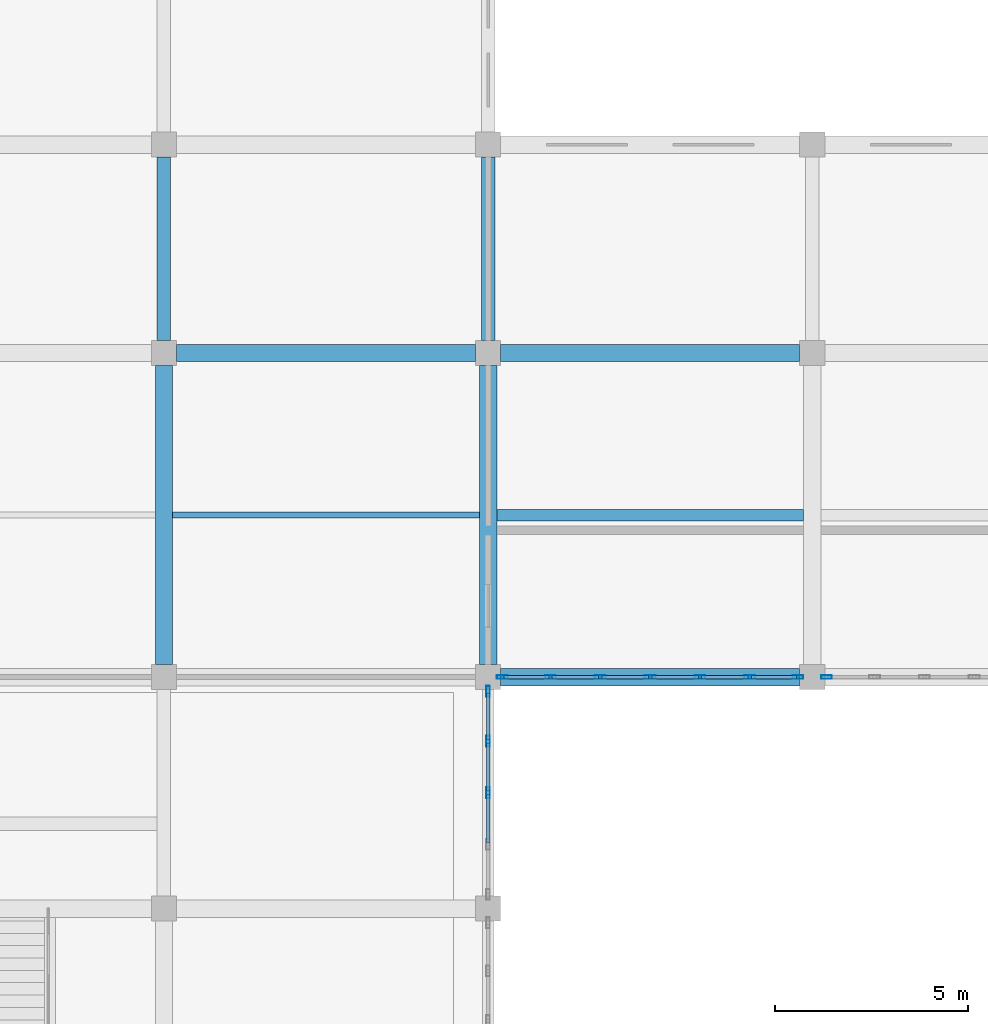
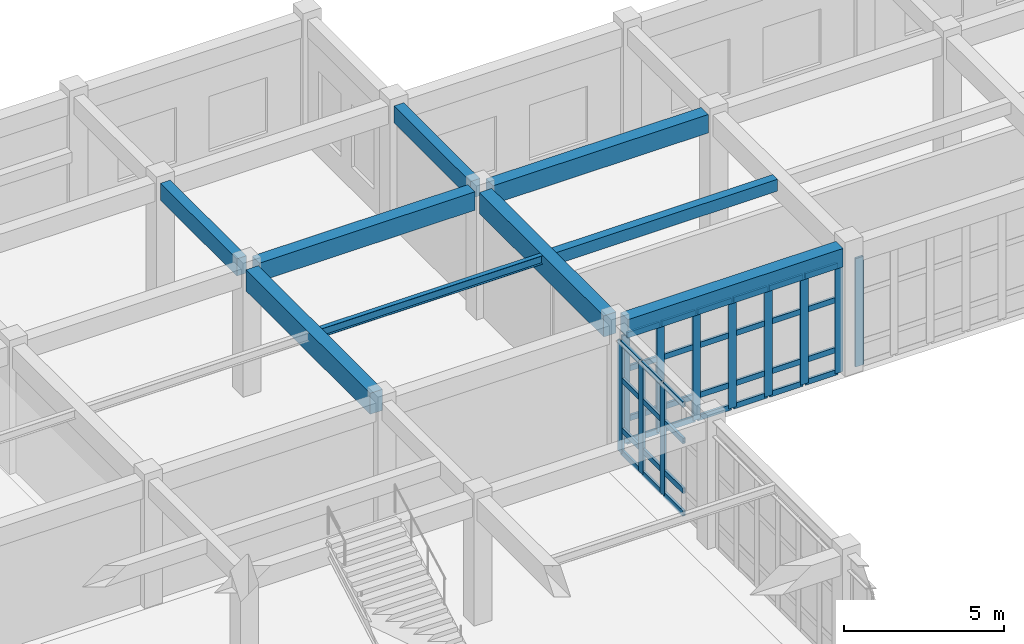
# One storey, part 32 of 80: 47 members, 9 beams, 3 elements without a shape of their own.
"""IFC4 building model written with IfcOpenShell, lengths in metres."""

from ifc_helpers import new_model, si_unit, direction, frame, origin, origin_2d, place, context, subcontext, project, spatial, rectangle, hollow_rectangle, i_section, extrude, material, layer, layer_set, material_profile, profile_set, type_object, element, aggregate, save


model = new_model("IFC4")

# Units and contexts
model_context = context("Model", 3, precision=1e-05, world=origin(), true_north=direction((0.0, 1.0)))
body_context = subcontext(model_context, "Body", "Model", "MODEL_VIEW")
ifc_project = project(units=[si_unit("LENGTHUNIT", "METRE"), si_unit("AREAUNIT", "SQUARE_METRE"), si_unit("VOLUMEUNIT", "CUBIC_METRE"), si_unit("PLANEANGLEUNIT", "RADIAN"), si_unit("MASSUNIT", "GRAM", prefix="KILO")], contexts=[model_context])

# Site, building, storey
site_placement = place(None, origin())
site = spatial("IfcSite", under=ifc_project, at=site_placement, CompositionType="ELEMENT")
building_placement = place(site_placement, origin())
building = spatial("IfcBuilding", under=site, at=building_placement, Name="Krzemoval Escarpment Law Courts", CompositionType="ELEMENT")
storey_placement = place(building_placement, origin())
storey = spatial("IfcBuildingStorey", under=building, at=storey_placement, Name="L00", CompositionType="ELEMENT", Elevation=0.0)

# Beams
ifc_material_1 = material(Name="Concrete C40/50", Category="concrete")
ifc_material_profile_1 = material_profile(ifc_material_1, rectangle(XDim=0.35009765625, YDim=0.64990234375, at=origin_2d()), Name="RCB 350x650")
ifc_profile_set_1 = profile_set([ifc_material_profile_1], Name="Concrete C40/50")
beam_type_1 = type_object("IfcBeamType", Name="BM-RC-350x650", PredefinedType="BEAM", material=ifc_profile_set_1)
for number, where, z_axis, x_axis, name in (
    (1, (33.60009765625, 108.324951171875, 4.4951171875), (0.0, 1.0, 0.0), (-1.0, 0.0, 0.0), "Beam FG-L00-0876"),
    (2, (42.0, 108.324951171875, 4.4951171875), (0.0, 1.0, 0.0), (-1.0, 0.0, 0.0), "Beam FG-L00-0892"),
):
    element("IfcBeam", number, at=place(storey_placement, frame(where, z_axis=z_axis, x_axis=x_axis)), inside=storey, type_object=beam_type_1, Name=name, PredefinedType="BEAM", context=body_context, shape_type="SweptSolid", body=[
        extrude(rectangle(XDim=0.35009765625, YDim=0.64990234375, at=origin_2d()), origin(), (0.0, 0.0, 1.0), 4.75),
    ])
ifc_material_2 = material(Name="Concrete C40/50", Category="concrete")
ifc_material_profile_2 = material_profile(ifc_material_2, rectangle(XDim=0.449951171875, YDim=0.699951171875, at=origin_2d()), Name="RCB 450x700")
ifc_profile_set_2 = profile_set([ifc_material_profile_2], Name="Concrete C40/50")
beam_type_2 = type_object("IfcBeamType", Name="BM-RC-450x700", PredefinedType="BEAM", material=ifc_profile_set_2)
for number, where, z_axis, x_axis, name in (
    (3, (42.324951171875, 99.60009765625, 4.469970703125), (1.0, 0.0, 0.0), (0.0, 1.0, 0.0), "Beam FG-L00-0746"),
    (4, (33.925048828125, 108.0, 4.469970703125), (1.0, 0.0, 0.0), (0.0, 1.0, 0.0), "Beam FG-L00-0764"),
    (5, (42.324951171875, 108.0, 4.469970703125), (1.0, 0.0, 0.0), (0.0, 1.0, 0.0), "Beam FG-L00-0765"),
):
    element("IfcBeam", number, at=place(storey_placement, frame(where, z_axis=z_axis, x_axis=x_axis)), inside=storey, type_object=beam_type_2, Name=name, PredefinedType="BEAM", context=body_context, shape_type="SweptSolid", body=[
        extrude(rectangle(XDim=0.449951171875, YDim=0.699951171875, at=origin_2d()), origin(), (0.0, 0.0, 1.0), 7.75),
    ])
ifc_material_3 = material(Name="Concrete C40/50", Category="concrete")
ifc_material_profile_3 = material_profile(ifc_material_3, rectangle(XDim=0.449951171875, YDim=0.800048828125, at=origin_2d()), Name="RCB 450x800")
ifc_profile_set_3 = profile_set([ifc_material_profile_3], Name="Concrete C40/50")
beam_type_3 = type_object("IfcBeamType", Name="BM-RC-450x800", PredefinedType="BEAM", material=ifc_profile_set_3)
for number, where, z_axis, x_axis, name in (
    (6, (33.60009765625, 99.925048828125, 4.419921875), (0.0, 1.0, 0.0), (-1.0, 0.0, 0.0), "Beam FG-L00-0875"),
    (7, (42.0, 99.925048828125, 4.419921875), (0.0, 1.0, 0.0), (-1.0, 0.0, 0.0), "Beam FG-L00-0891"),
):
    element("IfcBeam", number, at=place(storey_placement, frame(where, z_axis=z_axis, x_axis=x_axis)), inside=storey, type_object=beam_type_3, Name=name, PredefinedType="BEAM", context=body_context, shape_type="SweptSolid", body=[
        extrude(rectangle(XDim=0.449951171875, YDim=0.800048828125, at=origin_2d()), origin(), (0.0, 0.0, 1.0), 7.75),
    ])

# Curtain wall, member
ifc_material_4 = material(Name="Aluminium 6063-T6", Category="aluminium")
ifc_layer = layer(ifc_material_4, 0.280029296875)
ifc_layer_set = layer_set([ifc_layer], Name="Aluminium 6063-T6")
curtain_wall_type = type_object("IfcCurtainWallType", Name="CW-HALL-5100", PredefinedType="USERDEFINED", material=ifc_layer_set)
curtain_wall_1_placement = place(storey_placement, origin())
curtain_wall_1 = element("IfcCurtainWall", 8, at=curtain_wall_1_placement, inside=storey, type_object=curtain_wall_type, Name="Unitised Curtain Wall FCW-L00-013", ObjectType="UNITISED_CURTAIN_WALL", PredefinedType="USERDEFINED")
ifc_material_5 = material(Name="Aluminium 6063-T6", Category="aluminium")
ifc_material_profile_4 = material_profile(ifc_material_5, hollow_rectangle(XDim=0.0849609375, YDim=0.280029296875, WallThickness=0.005615234375, at=origin_2d()), Name="ALU M85x280")
ifc_profile_set_4 = profile_set([ifc_material_profile_4], Name="Aluminium 6063-T6")
member_type_1 = type_object("IfcMemberType", Name="CWM-85x280", PredefinedType="MULLION", material=ifc_profile_set_4)
member_1_placement = place(storey_placement, frame((50.767578125, 99.60009765625, 0.0), z_axis=(0.0, 0.0, 1.0), x_axis=(0.0, -1.0, 0.0)))
member_1 = element("IfcMember", 9, at=member_1_placement, type_object=member_type_1, Name="FCW-L00-013 mullion 7", PredefinedType="MULLION", context=body_context, shape_type="SweptSolid", body=[
    extrude(hollow_rectangle(XDim=0.0849609375, YDim=0.280029296875, WallThickness=0.005615234375, at=origin_2d()), origin(), (0.0, 0.0, 1.0), 4.1201171875),
])
aggregate(curtain_wall_1, [member_1])

# Curtain wall, members
curtain_wall_2_placement = place(storey_placement, origin())
curtain_wall_2 = element("IfcCurtainWall", 10, at=curtain_wall_2_placement, inside=storey, type_object=curtain_wall_type, Name="Unitised Curtain Wall FCW-L00-014", ObjectType="UNITISED_CURTAIN_WALL", PredefinedType="USERDEFINED")
member_2_placement = place(storey_placement, frame((50.032470703125, 99.60009765625, 0.0), z_axis=(0.0, 0.0, 1.0), x_axis=(0.0, -1.0, 0.0)))
member_2 = element("IfcMember", 11, at=member_2_placement, type_object=member_type_1, Name="FCW-L00-014 mullion 1", PredefinedType="MULLION", context=body_context, shape_type="SweptSolid", body=[
    extrude(hollow_rectangle(XDim=0.0849609375, YDim=0.280029296875, WallThickness=0.005615234375, at=origin_2d()), origin(), (0.0, 0.0, 1.0), 4.1201171875),
])
member_3_placement = place(storey_placement, frame((48.783447265625, 99.60009765625, 0.0), z_axis=(0.0, 0.0, 1.0), x_axis=(0.0, -1.0, 0.0)))
member_3 = element("IfcMember", 12, at=member_3_placement, type_object=member_type_1, Name="FCW-L00-014 mullion 2", PredefinedType="MULLION", context=body_context, shape_type="SweptSolid", body=[
    extrude(hollow_rectangle(XDim=0.0849609375, YDim=0.280029296875, WallThickness=0.005615234375, at=origin_2d()), origin(), (0.0, 0.0, 1.0), 4.1201171875),
])
member_4_placement = place(storey_placement, frame((47.49169921875, 99.60009765625, 0.0), z_axis=(0.0, 0.0, 1.0), x_axis=(0.0, -1.0, 0.0)))
member_4 = element("IfcMember", 13, at=member_4_placement, type_object=member_type_1, Name="FCW-L00-014 mullion 3", PredefinedType="MULLION", context=body_context, shape_type="SweptSolid", body=[
    extrude(hollow_rectangle(XDim=0.0849609375, YDim=0.280029296875, WallThickness=0.005615234375, at=origin_2d()), origin(), (0.0, 0.0, 1.0), 4.1201171875),
])
member_5_placement = place(storey_placement, frame((46.199951171875, 99.60009765625, 0.0), z_axis=(0.0, 0.0, 1.0), x_axis=(0.0, -1.0, 0.0)))
member_5 = element("IfcMember", 14, at=member_5_placement, type_object=member_type_1, Name="FCW-L00-014 mullion 4", PredefinedType="MULLION", context=body_context, shape_type="SweptSolid", body=[
    extrude(hollow_rectangle(XDim=0.0849609375, YDim=0.280029296875, WallThickness=0.005615234375, at=origin_2d()), origin(), (0.0, 0.0, 1.0), 4.1201171875),
])
member_6_placement = place(storey_placement, frame((44.908447265625, 99.60009765625, 0.0), z_axis=(0.0, 0.0, 1.0), x_axis=(0.0, -1.0, 0.0)))
member_6 = element("IfcMember", 15, at=member_6_placement, type_object=member_type_1, Name="FCW-L00-014 mullion 5", PredefinedType="MULLION", context=body_context, shape_type="SweptSolid", body=[
    extrude(hollow_rectangle(XDim=0.0849609375, YDim=0.280029296875, WallThickness=0.005615234375, at=origin_2d()), origin(), (0.0, 0.0, 1.0), 4.1201171875),
])
member_7_placement = place(storey_placement, frame((43.61669921875, 99.60009765625, 0.0), z_axis=(0.0, 0.0, 1.0), x_axis=(0.0, -1.0, 0.0)))
member_7 = element("IfcMember", 16, at=member_7_placement, type_object=member_type_1, Name="FCW-L00-014 mullion 6", PredefinedType="MULLION", context=body_context, shape_type="SweptSolid", body=[
    extrude(hollow_rectangle(XDim=0.0849609375, YDim=0.280029296875, WallThickness=0.005615234375, at=origin_2d()), origin(), (0.0, 0.0, 1.0), 4.1201171875),
])
member_8_placement = place(storey_placement, frame((42.367431640625, 99.60009765625, 0.0), z_axis=(0.0, 0.0, 1.0), x_axis=(0.0, -1.0, 0.0)))
member_8 = element("IfcMember", 17, at=member_8_placement, type_object=member_type_1, Name="FCW-L00-014 mullion 7", PredefinedType="MULLION", context=body_context, shape_type="SweptSolid", body=[
    extrude(hollow_rectangle(XDim=0.0849609375, YDim=0.280029296875, WallThickness=0.005615234375, at=origin_2d()), origin(), (0.0, 0.0, 1.0), 4.1201171875),
])

curtain_wall_3_placement = place(storey_placement, origin())
curtain_wall_3 = element("IfcCurtainWall", 18, at=curtain_wall_3_placement, inside=storey, type_object=curtain_wall_type, Name="Unitised Curtain Wall FCW-L00-015", ObjectType="UNITISED_CURTAIN_WALL", PredefinedType="USERDEFINED")
member_9_placement = place(storey_placement, frame((42.0, 99.232421875, 0.0), z_axis=(0.0, 0.0, 1.0), x_axis=(1.0, 0.0, 0.0)))
member_9 = element("IfcMember", 19, at=member_9_placement, type_object=member_type_1, Name="FCW-L00-015 mullion 1", PredefinedType="MULLION", context=body_context, shape_type="SweptSolid", body=[
    extrude(hollow_rectangle(XDim=0.0849609375, YDim=0.280029296875, WallThickness=0.005615234375, at=origin_2d()), origin(), (0.0, 0.0, 1.0), 4.219970703125),
])
member_10_placement = place(storey_placement, frame((42.0, 97.9375, 0.0), z_axis=(0.0, 0.0, 1.0), x_axis=(1.0, 0.0, 0.0)))
member_10 = element("IfcMember", 20, at=member_10_placement, type_object=member_type_1, Name="FCW-L00-015 mullion 2", PredefinedType="MULLION", context=body_context, shape_type="SweptSolid", body=[
    extrude(hollow_rectangle(XDim=0.0849609375, YDim=0.280029296875, WallThickness=0.005615234375, at=origin_2d()), origin(), (0.0, 0.0, 1.0), 4.219970703125),
])
member_11_placement = place(storey_placement, frame((42.0, 96.60009765625, 0.0), z_axis=(0.0, 0.0, 1.0), x_axis=(1.0, 0.0, 0.0)))
member_11 = element("IfcMember", 21, at=member_11_placement, type_object=member_type_1, Name="FCW-L00-015 mullion 3", PredefinedType="MULLION", context=body_context, shape_type="SweptSolid", body=[
    extrude(hollow_rectangle(XDim=0.0849609375, YDim=0.280029296875, WallThickness=0.005615234375, at=origin_2d()), origin(), (0.0, 0.0, 1.0), 4.219970703125),
])

# Member
ifc_material_6 = material(Name="Aluminium 6063-T6", Category="aluminium")
ifc_material_profile_5 = material_profile(ifc_material_6, hollow_rectangle(XDim=0.0849609375, YDim=0.2099609375, WallThickness=0.005615234375, at=origin_2d()), Name="ALU T85x210")
ifc_profile_set_5 = profile_set([ifc_material_profile_5], Name="Aluminium 6063-T6")
member_type_2 = type_object("IfcMemberType", Name="CWT-85x210", PredefinedType="USERDEFINED", material=ifc_profile_set_5)
member_12_placement = place(storey_placement, frame((49.989990234375, 99.60009765625, 0.04248046875), z_axis=(-1.0, 0.0, 0.0), x_axis=(0.0, -1.0, 0.0)))
member_12 = element("IfcMember", 22, at=member_12_placement, type_object=member_type_2, Name="FCW-L00-014 transom 1.1", ObjectType="TRANSOM", PredefinedType="USERDEFINED", context=body_context, shape_type="SweptSolid", body=[
    extrude(hollow_rectangle(XDim=0.0849609375, YDim=0.2099609375, WallThickness=0.005615234375, at=origin_2d()), origin(), (0.0, 0.0, 1.0), 1.1640625),
])

member_13_placement = place(storey_placement, frame((49.989990234375, 99.60009765625, 0.89990234375), z_axis=(-1.0, 0.0, 0.0), x_axis=(0.0, -1.0, 0.0)))
member_13 = element("IfcMember", 23, at=member_13_placement, type_object=member_type_2, Name="FCW-L00-014 transom 1.2", ObjectType="TRANSOM", PredefinedType="USERDEFINED", context=body_context, shape_type="SweptSolid", body=[
    extrude(hollow_rectangle(XDim=0.0849609375, YDim=0.2099609375, WallThickness=0.005615234375, at=origin_2d()), origin(), (0.0, 0.0, 1.0), 1.1640625),
])

member_14_placement = place(storey_placement, frame((49.989990234375, 99.60009765625, 2.800048828125), z_axis=(-1.0, 0.0, 0.0), x_axis=(0.0, -1.0, 0.0)))
member_14 = element("IfcMember", 24, at=member_14_placement, type_object=member_type_2, Name="FCW-L00-014 transom 1.3", ObjectType="TRANSOM", PredefinedType="USERDEFINED", context=body_context, shape_type="SweptSolid", body=[
    extrude(hollow_rectangle(XDim=0.0849609375, YDim=0.2099609375, WallThickness=0.005615234375, at=origin_2d()), origin(), (0.0, 0.0, 1.0), 1.1640625),
])

member_15_placement = place(storey_placement, frame((49.989990234375, 99.60009765625, 4.077392578125), z_axis=(-1.0, 0.0, 0.0), x_axis=(0.0, -1.0, 0.0)))
member_15 = element("IfcMember", 25, at=member_15_placement, type_object=member_type_2, Name="FCW-L00-014 transom 1.4", ObjectType="TRANSOM", PredefinedType="USERDEFINED", context=body_context, shape_type="SweptSolid", body=[
    extrude(hollow_rectangle(XDim=0.0849609375, YDim=0.2099609375, WallThickness=0.005615234375, at=origin_2d()), origin(), (0.0, 0.0, 1.0), 1.1640625),
])

member_16_placement = place(storey_placement, frame((48.74072265625, 99.60009765625, 0.04248046875), z_axis=(-1.0, 0.0, 0.0), x_axis=(0.0, -1.0, 0.0)))
member_16 = element("IfcMember", 26, at=member_16_placement, type_object=member_type_2, Name="FCW-L00-014 transom 2.1", ObjectType="TRANSOM", PredefinedType="USERDEFINED", context=body_context, shape_type="SweptSolid", body=[
    extrude(hollow_rectangle(XDim=0.0849609375, YDim=0.2099609375, WallThickness=0.005615234375, at=origin_2d()), origin(), (0.0, 0.0, 1.0), 1.20654296875),
])

member_17_placement = place(storey_placement, frame((48.74072265625, 99.60009765625, 0.89990234375), z_axis=(-1.0, 0.0, 0.0), x_axis=(0.0, -1.0, 0.0)))
member_17 = element("IfcMember", 27, at=member_17_placement, type_object=member_type_2, Name="FCW-L00-014 transom 2.2", ObjectType="TRANSOM", PredefinedType="USERDEFINED", context=body_context, shape_type="SweptSolid", body=[
    extrude(hollow_rectangle(XDim=0.0849609375, YDim=0.2099609375, WallThickness=0.005615234375, at=origin_2d()), origin(), (0.0, 0.0, 1.0), 1.20654296875),
])

member_18_placement = place(storey_placement, frame((48.74072265625, 99.60009765625, 2.800048828125), z_axis=(-1.0, 0.0, 0.0), x_axis=(0.0, -1.0, 0.0)))
member_18 = element("IfcMember", 28, at=member_18_placement, type_object=member_type_2, Name="FCW-L00-014 transom 2.3", ObjectType="TRANSOM", PredefinedType="USERDEFINED", context=body_context, shape_type="SweptSolid", body=[
    extrude(hollow_rectangle(XDim=0.0849609375, YDim=0.2099609375, WallThickness=0.005615234375, at=origin_2d()), origin(), (0.0, 0.0, 1.0), 1.20654296875),
])

member_19_placement = place(storey_placement, frame((48.74072265625, 99.60009765625, 4.077392578125), z_axis=(-1.0, 0.0, 0.0), x_axis=(0.0, -1.0, 0.0)))
member_19 = element("IfcMember", 29, at=member_19_placement, type_object=member_type_2, Name="FCW-L00-014 transom 2.4", ObjectType="TRANSOM", PredefinedType="USERDEFINED", context=body_context, shape_type="SweptSolid", body=[
    extrude(hollow_rectangle(XDim=0.0849609375, YDim=0.2099609375, WallThickness=0.005615234375, at=origin_2d()), origin(), (0.0, 0.0, 1.0), 1.20654296875),
])

member_20_placement = place(storey_placement, frame((47.44921875, 99.60009765625, 0.04248046875), z_axis=(-1.0, 0.0, 0.0), x_axis=(0.0, -1.0, 0.0)))
member_20 = element("IfcMember", 30, at=member_20_placement, type_object=member_type_2, Name="FCW-L00-014 transom 3.1", ObjectType="TRANSOM", PredefinedType="USERDEFINED", context=body_context, shape_type="SweptSolid", body=[
    extrude(hollow_rectangle(XDim=0.0849609375, YDim=0.2099609375, WallThickness=0.005615234375, at=origin_2d()), origin(), (0.0, 0.0, 1.0), 1.206787109375),
])

member_21_placement = place(storey_placement, frame((47.44921875, 99.60009765625, 0.89990234375), z_axis=(-1.0, 0.0, 0.0), x_axis=(0.0, -1.0, 0.0)))
member_21 = element("IfcMember", 31, at=member_21_placement, type_object=member_type_2, Name="FCW-L00-014 transom 3.2", ObjectType="TRANSOM", PredefinedType="USERDEFINED", context=body_context, shape_type="SweptSolid", body=[
    extrude(hollow_rectangle(XDim=0.0849609375, YDim=0.2099609375, WallThickness=0.005615234375, at=origin_2d()), origin(), (0.0, 0.0, 1.0), 1.206787109375),
])

member_22_placement = place(storey_placement, frame((47.44921875, 99.60009765625, 2.800048828125), z_axis=(-1.0, 0.0, 0.0), x_axis=(0.0, -1.0, 0.0)))
member_22 = element("IfcMember", 32, at=member_22_placement, type_object=member_type_2, Name="FCW-L00-014 transom 3.3", ObjectType="TRANSOM", PredefinedType="USERDEFINED", context=body_context, shape_type="SweptSolid", body=[
    extrude(hollow_rectangle(XDim=0.0849609375, YDim=0.2099609375, WallThickness=0.005615234375, at=origin_2d()), origin(), (0.0, 0.0, 1.0), 1.206787109375),
])

member_23_placement = place(storey_placement, frame((47.44921875, 99.60009765625, 4.077392578125), z_axis=(-1.0, 0.0, 0.0), x_axis=(0.0, -1.0, 0.0)))
member_23 = element("IfcMember", 33, at=member_23_placement, type_object=member_type_2, Name="FCW-L00-014 transom 3.4", ObjectType="TRANSOM", PredefinedType="USERDEFINED", context=body_context, shape_type="SweptSolid", body=[
    extrude(hollow_rectangle(XDim=0.0849609375, YDim=0.2099609375, WallThickness=0.005615234375, at=origin_2d()), origin(), (0.0, 0.0, 1.0), 1.206787109375),
])

member_24_placement = place(storey_placement, frame((46.157470703125, 99.60009765625, 0.04248046875), z_axis=(-1.0, 0.0, 0.0), x_axis=(0.0, -1.0, 0.0)))
member_24 = element("IfcMember", 34, at=member_24_placement, type_object=member_type_2, Name="FCW-L00-014 transom 4.1", ObjectType="TRANSOM", PredefinedType="USERDEFINED", context=body_context, shape_type="SweptSolid", body=[
    extrude(hollow_rectangle(XDim=0.0849609375, YDim=0.2099609375, WallThickness=0.005615234375, at=origin_2d()), origin(), (0.0, 0.0, 1.0), 1.20654296875),
])

member_25_placement = place(storey_placement, frame((46.157470703125, 99.60009765625, 0.89990234375), z_axis=(-1.0, 0.0, 0.0), x_axis=(0.0, -1.0, 0.0)))
member_25 = element("IfcMember", 35, at=member_25_placement, type_object=member_type_2, Name="FCW-L00-014 transom 4.2", ObjectType="TRANSOM", PredefinedType="USERDEFINED", context=body_context, shape_type="SweptSolid", body=[
    extrude(hollow_rectangle(XDim=0.0849609375, YDim=0.2099609375, WallThickness=0.005615234375, at=origin_2d()), origin(), (0.0, 0.0, 1.0), 1.20654296875),
])

member_26_placement = place(storey_placement, frame((46.157470703125, 99.60009765625, 2.800048828125), z_axis=(-1.0, 0.0, 0.0), x_axis=(0.0, -1.0, 0.0)))
member_26 = element("IfcMember", 36, at=member_26_placement, type_object=member_type_2, Name="FCW-L00-014 transom 4.3", ObjectType="TRANSOM", PredefinedType="USERDEFINED", context=body_context, shape_type="SweptSolid", body=[
    extrude(hollow_rectangle(XDim=0.0849609375, YDim=0.2099609375, WallThickness=0.005615234375, at=origin_2d()), origin(), (0.0, 0.0, 1.0), 1.20654296875),
])

member_27_placement = place(storey_placement, frame((46.157470703125, 99.60009765625, 4.077392578125), z_axis=(-1.0, 0.0, 0.0), x_axis=(0.0, -1.0, 0.0)))
member_27 = element("IfcMember", 37, at=member_27_placement, type_object=member_type_2, Name="FCW-L00-014 transom 4.4", ObjectType="TRANSOM", PredefinedType="USERDEFINED", context=body_context, shape_type="SweptSolid", body=[
    extrude(hollow_rectangle(XDim=0.0849609375, YDim=0.2099609375, WallThickness=0.005615234375, at=origin_2d()), origin(), (0.0, 0.0, 1.0), 1.20654296875),
])

member_28_placement = place(storey_placement, frame((44.86572265625, 99.60009765625, 0.04248046875), z_axis=(-1.0, 0.0, 0.0), x_axis=(0.0, -1.0, 0.0)))
member_28 = element("IfcMember", 38, at=member_28_placement, type_object=member_type_2, Name="FCW-L00-014 transom 5.1", ObjectType="TRANSOM", PredefinedType="USERDEFINED", context=body_context, shape_type="SweptSolid", body=[
    extrude(hollow_rectangle(XDim=0.0849609375, YDim=0.2099609375, WallThickness=0.005615234375, at=origin_2d()), origin(), (0.0, 0.0, 1.0), 1.20654296875),
])

member_29_placement = place(storey_placement, frame((44.86572265625, 99.60009765625, 0.89990234375), z_axis=(-1.0, 0.0, 0.0), x_axis=(0.0, -1.0, 0.0)))
member_29 = element("IfcMember", 39, at=member_29_placement, type_object=member_type_2, Name="FCW-L00-014 transom 5.2", ObjectType="TRANSOM", PredefinedType="USERDEFINED", context=body_context, shape_type="SweptSolid", body=[
    extrude(hollow_rectangle(XDim=0.0849609375, YDim=0.2099609375, WallThickness=0.005615234375, at=origin_2d()), origin(), (0.0, 0.0, 1.0), 1.20654296875),
])

member_30_placement = place(storey_placement, frame((44.86572265625, 99.60009765625, 2.800048828125), z_axis=(-1.0, 0.0, 0.0), x_axis=(0.0, -1.0, 0.0)))
member_30 = element("IfcMember", 40, at=member_30_placement, type_object=member_type_2, Name="FCW-L00-014 transom 5.3", ObjectType="TRANSOM", PredefinedType="USERDEFINED", context=body_context, shape_type="SweptSolid", body=[
    extrude(hollow_rectangle(XDim=0.0849609375, YDim=0.2099609375, WallThickness=0.005615234375, at=origin_2d()), origin(), (0.0, 0.0, 1.0), 1.20654296875),
])

member_31_placement = place(storey_placement, frame((44.86572265625, 99.60009765625, 4.077392578125), z_axis=(-1.0, 0.0, 0.0), x_axis=(0.0, -1.0, 0.0)))
member_31 = element("IfcMember", 41, at=member_31_placement, type_object=member_type_2, Name="FCW-L00-014 transom 5.4", ObjectType="TRANSOM", PredefinedType="USERDEFINED", context=body_context, shape_type="SweptSolid", body=[
    extrude(hollow_rectangle(XDim=0.0849609375, YDim=0.2099609375, WallThickness=0.005615234375, at=origin_2d()), origin(), (0.0, 0.0, 1.0), 1.20654296875),
])

member_32_placement = place(storey_placement, frame((43.57421875, 99.60009765625, 0.04248046875), z_axis=(-1.0, 0.0, 0.0), x_axis=(0.0, -1.0, 0.0)))
member_32 = element("IfcMember", 42, at=member_32_placement, type_object=member_type_2, Name="FCW-L00-014 transom 6.1", ObjectType="TRANSOM", PredefinedType="USERDEFINED", context=body_context, shape_type="SweptSolid", body=[
    extrude(hollow_rectangle(XDim=0.0849609375, YDim=0.2099609375, WallThickness=0.005615234375, at=origin_2d()), origin(), (0.0, 0.0, 1.0), 1.164306640625),
])

member_33_placement = place(storey_placement, frame((43.57421875, 99.60009765625, 0.89990234375), z_axis=(-1.0, 0.0, 0.0), x_axis=(0.0, -1.0, 0.0)))
member_33 = element("IfcMember", 43, at=member_33_placement, type_object=member_type_2, Name="FCW-L00-014 transom 6.2", ObjectType="TRANSOM", PredefinedType="USERDEFINED", context=body_context, shape_type="SweptSolid", body=[
    extrude(hollow_rectangle(XDim=0.0849609375, YDim=0.2099609375, WallThickness=0.005615234375, at=origin_2d()), origin(), (0.0, 0.0, 1.0), 1.164306640625),
])

member_34_placement = place(storey_placement, frame((43.57421875, 99.60009765625, 2.800048828125), z_axis=(-1.0, 0.0, 0.0), x_axis=(0.0, -1.0, 0.0)))
member_34 = element("IfcMember", 44, at=member_34_placement, type_object=member_type_2, Name="FCW-L00-014 transom 6.3", ObjectType="TRANSOM", PredefinedType="USERDEFINED", context=body_context, shape_type="SweptSolid", body=[
    extrude(hollow_rectangle(XDim=0.0849609375, YDim=0.2099609375, WallThickness=0.005615234375, at=origin_2d()), origin(), (0.0, 0.0, 1.0), 1.164306640625),
])

member_35_placement = place(storey_placement, frame((43.57421875, 99.60009765625, 4.077392578125), z_axis=(-1.0, 0.0, 0.0), x_axis=(0.0, -1.0, 0.0)))
member_35 = element("IfcMember", 45, at=member_35_placement, type_object=member_type_2, Name="FCW-L00-014 transom 6.4", ObjectType="TRANSOM", PredefinedType="USERDEFINED", context=body_context, shape_type="SweptSolid", body=[
    extrude(hollow_rectangle(XDim=0.0849609375, YDim=0.2099609375, WallThickness=0.005615234375, at=origin_2d()), origin(), (0.0, 0.0, 1.0), 1.164306640625),
])

aggregate(curtain_wall_2, [member_2, member_3, member_4, member_5, member_6, member_7, member_8, member_12, member_13, member_14, member_15, member_16, member_17, member_18, member_19, member_20, member_21, member_22, member_23, member_24, member_25, member_26, member_27, member_28, member_29, member_30, member_31, member_32, member_33, member_34, member_35])

member_36_placement = place(storey_placement, frame((42.0, 99.18994140625, 0.04248046875), z_axis=(0.0, -1.0, 0.0), x_axis=(1.0, 0.0, 0.0)))
member_36 = element("IfcMember", 46, at=member_36_placement, type_object=member_type_2, Name="FCW-L00-015 transom 1.1", ObjectType="TRANSOM", PredefinedType="USERDEFINED", context=body_context, shape_type="SweptSolid", body=[
    extrude(hollow_rectangle(XDim=0.0849609375, YDim=0.2099609375, WallThickness=0.005615234375, at=origin_2d()), origin(), (0.0, 0.0, 1.0), 1.2099609375),
])

member_37_placement = place(storey_placement, frame((42.0, 99.18994140625, 0.89990234375), z_axis=(0.0, -1.0, 0.0), x_axis=(1.0, 0.0, 0.0)))
member_37 = element("IfcMember", 47, at=member_37_placement, type_object=member_type_2, Name="FCW-L00-015 transom 1.2", ObjectType="TRANSOM", PredefinedType="USERDEFINED", context=body_context, shape_type="SweptSolid", body=[
    extrude(hollow_rectangle(XDim=0.0849609375, YDim=0.2099609375, WallThickness=0.005615234375, at=origin_2d()), origin(), (0.0, 0.0, 1.0), 1.2099609375),
])

member_38_placement = place(storey_placement, frame((42.0, 99.18994140625, 2.800048828125), z_axis=(0.0, -1.0, 0.0), x_axis=(1.0, 0.0, 0.0)))
member_38 = element("IfcMember", 48, at=member_38_placement, type_object=member_type_2, Name="FCW-L00-015 transom 1.3", ObjectType="TRANSOM", PredefinedType="USERDEFINED", context=body_context, shape_type="SweptSolid", body=[
    extrude(hollow_rectangle(XDim=0.0849609375, YDim=0.2099609375, WallThickness=0.005615234375, at=origin_2d()), origin(), (0.0, 0.0, 1.0), 1.2099609375),
])

member_39_placement = place(storey_placement, frame((42.0, 99.18994140625, 4.177490234375), z_axis=(0.0, -1.0, 0.0), x_axis=(1.0, 0.0, 0.0)))
member_39 = element("IfcMember", 49, at=member_39_placement, type_object=member_type_2, Name="FCW-L00-015 transom 1.4", ObjectType="TRANSOM", PredefinedType="USERDEFINED", context=body_context, shape_type="SweptSolid", body=[
    extrude(hollow_rectangle(XDim=0.0849609375, YDim=0.2099609375, WallThickness=0.005615234375, at=origin_2d()), origin(), (0.0, 0.0, 1.0), 1.2099609375),
])

member_40_placement = place(storey_placement, frame((42.0, 97.89501953125, 0.04248046875), z_axis=(0.0, -1.0, 0.0), x_axis=(1.0, 0.0, 0.0)))
member_40 = element("IfcMember", 50, at=member_40_placement, type_object=member_type_2, Name="FCW-L00-015 transom 2.1", ObjectType="TRANSOM", PredefinedType="USERDEFINED", context=body_context, shape_type="SweptSolid", body=[
    extrude(hollow_rectangle(XDim=0.0849609375, YDim=0.2099609375, WallThickness=0.005615234375, at=origin_2d()), origin(), (0.0, 0.0, 1.0), 1.25244140625),
])

member_41_placement = place(storey_placement, frame((42.0, 97.89501953125, 0.89990234375), z_axis=(0.0, -1.0, 0.0), x_axis=(1.0, 0.0, 0.0)))
member_41 = element("IfcMember", 51, at=member_41_placement, type_object=member_type_2, Name="FCW-L00-015 transom 2.2", ObjectType="TRANSOM", PredefinedType="USERDEFINED", context=body_context, shape_type="SweptSolid", body=[
    extrude(hollow_rectangle(XDim=0.0849609375, YDim=0.2099609375, WallThickness=0.005615234375, at=origin_2d()), origin(), (0.0, 0.0, 1.0), 1.25244140625),
])

member_42_placement = place(storey_placement, frame((42.0, 97.89501953125, 2.800048828125), z_axis=(0.0, -1.0, 0.0), x_axis=(1.0, 0.0, 0.0)))
member_42 = element("IfcMember", 52, at=member_42_placement, type_object=member_type_2, Name="FCW-L00-015 transom 2.3", ObjectType="TRANSOM", PredefinedType="USERDEFINED", context=body_context, shape_type="SweptSolid", body=[
    extrude(hollow_rectangle(XDim=0.0849609375, YDim=0.2099609375, WallThickness=0.005615234375, at=origin_2d()), origin(), (0.0, 0.0, 1.0), 1.25244140625),
])

member_43_placement = place(storey_placement, frame((42.0, 97.89501953125, 4.177490234375), z_axis=(0.0, -1.0, 0.0), x_axis=(1.0, 0.0, 0.0)))
member_43 = element("IfcMember", 53, at=member_43_placement, type_object=member_type_2, Name="FCW-L00-015 transom 2.4", ObjectType="TRANSOM", PredefinedType="USERDEFINED", context=body_context, shape_type="SweptSolid", body=[
    extrude(hollow_rectangle(XDim=0.0849609375, YDim=0.2099609375, WallThickness=0.005615234375, at=origin_2d()), origin(), (0.0, 0.0, 1.0), 1.25244140625),
])

member_44_placement = place(storey_placement, frame((42.0, 96.5576171875, 0.04248046875), z_axis=(0.0, -1.0, 0.0), x_axis=(1.0, 0.0, 0.0)))
member_44 = element("IfcMember", 54, at=member_44_placement, type_object=member_type_2, Name="FCW-L00-015 transom 3.1", ObjectType="TRANSOM", PredefinedType="USERDEFINED", context=body_context, shape_type="SweptSolid", body=[
    extrude(hollow_rectangle(XDim=0.0849609375, YDim=0.2099609375, WallThickness=0.005615234375, at=origin_2d()), origin(), (0.0, 0.0, 1.0), 1.252685546875),
])

member_45_placement = place(storey_placement, frame((42.0, 96.5576171875, 0.89990234375), z_axis=(0.0, -1.0, 0.0), x_axis=(1.0, 0.0, 0.0)))
member_45 = element("IfcMember", 55, at=member_45_placement, type_object=member_type_2, Name="FCW-L00-015 transom 3.2", ObjectType="TRANSOM", PredefinedType="USERDEFINED", context=body_context, shape_type="SweptSolid", body=[
    extrude(hollow_rectangle(XDim=0.0849609375, YDim=0.2099609375, WallThickness=0.005615234375, at=origin_2d()), origin(), (0.0, 0.0, 1.0), 1.252685546875),
])

member_46_placement = place(storey_placement, frame((42.0, 96.5576171875, 2.800048828125), z_axis=(0.0, -1.0, 0.0), x_axis=(1.0, 0.0, 0.0)))
member_46 = element("IfcMember", 56, at=member_46_placement, type_object=member_type_2, Name="FCW-L00-015 transom 3.3", ObjectType="TRANSOM", PredefinedType="USERDEFINED", context=body_context, shape_type="SweptSolid", body=[
    extrude(hollow_rectangle(XDim=0.0849609375, YDim=0.2099609375, WallThickness=0.005615234375, at=origin_2d()), origin(), (0.0, 0.0, 1.0), 1.252685546875),
])

member_47_placement = place(storey_placement, frame((42.0, 96.5576171875, 4.177490234375), z_axis=(0.0, -1.0, 0.0), x_axis=(1.0, 0.0, 0.0)))
member_47 = element("IfcMember", 57, at=member_47_placement, type_object=member_type_2, Name="FCW-L00-015 transom 3.4", ObjectType="TRANSOM", PredefinedType="USERDEFINED", context=body_context, shape_type="SweptSolid", body=[
    extrude(hollow_rectangle(XDim=0.0849609375, YDim=0.2099609375, WallThickness=0.005615234375, at=origin_2d()), origin(), (0.0, 0.0, 1.0), 1.252685546875),
])

aggregate(curtain_wall_3, [member_9, member_10, member_11, member_36, member_37, member_38, member_39, member_40, member_41, member_42, member_43, member_44, member_45, member_46, member_47])

# Beams
ifc_material_7 = material(Name="Concrete C40/50", Category="concrete")
ifc_material_profile_6 = material_profile(ifc_material_7, rectangle(XDim=0.300048828125, YDim=0.449951171875, at=origin_2d()), Name="RCB 300x450")
ifc_profile_set_6 = profile_set([ifc_material_profile_6], Name="Concrete C40/50")
beam_type_4 = type_object("IfcBeamType", Name="JST-RC-300x450", PredefinedType="JOIST", material=ifc_profile_set_6)
beam_1_placement = place(storey_placement, frame((42.22509765625, 103.800048828125, 4.594970703125), z_axis=(1.0, 0.0, 0.0), x_axis=(0.0, 1.0, 0.0)))
element("IfcBeam", 58, at=beam_1_placement, inside=storey, type_object=beam_type_4, Name="Secondary Joist FJ-L00-1077", PredefinedType="JOIST", context=body_context, shape_type="SweptSolid", body=[
    extrude(rectangle(XDim=0.300048828125, YDim=0.449951171875, at=origin_2d()), origin(), (0.0, 0.0, 1.0), 7.949951171875),
])
ifc_material_8 = material(Name="Steel S355", Category="steel")
ifc_material_profile_7 = material_profile(ifc_material_8, i_section(OverallWidth=0.159912109375, OverallDepth=0.330078125, WebThickness=0.007568359375, FlangeThickness=0.011474609375, at=origin_2d()), Name="IPE 330")
ifc_profile_set_7 = profile_set([ifc_material_profile_7], Name="Steel S355")
beam_type_5 = type_object("IfcBeamType", Name="JST-S355-IPE330", PredefinedType="JOIST", material=ifc_profile_set_7)
beam_2_placement = place(storey_placement, frame((33.824951171875, 103.800048828125, 4.655029296875), z_axis=(1.0, 0.0, 0.0), x_axis=(0.0, 1.0, 0.0)))
element("IfcBeam", 59, at=beam_2_placement, inside=storey, type_object=beam_type_5, Name="Secondary Joist FJ-L00-1072", PredefinedType="JOIST", context=body_context, shape_type="SweptSolid", body=[
    extrude(i_section(OverallWidth=0.159912109375, OverallDepth=0.330078125, WebThickness=0.007568359375, FlangeThickness=0.011474609375, at=origin_2d()), origin(), (0.0, 0.0, 1.0), 7.949951171875),
])

save(model, "model.ifc")
